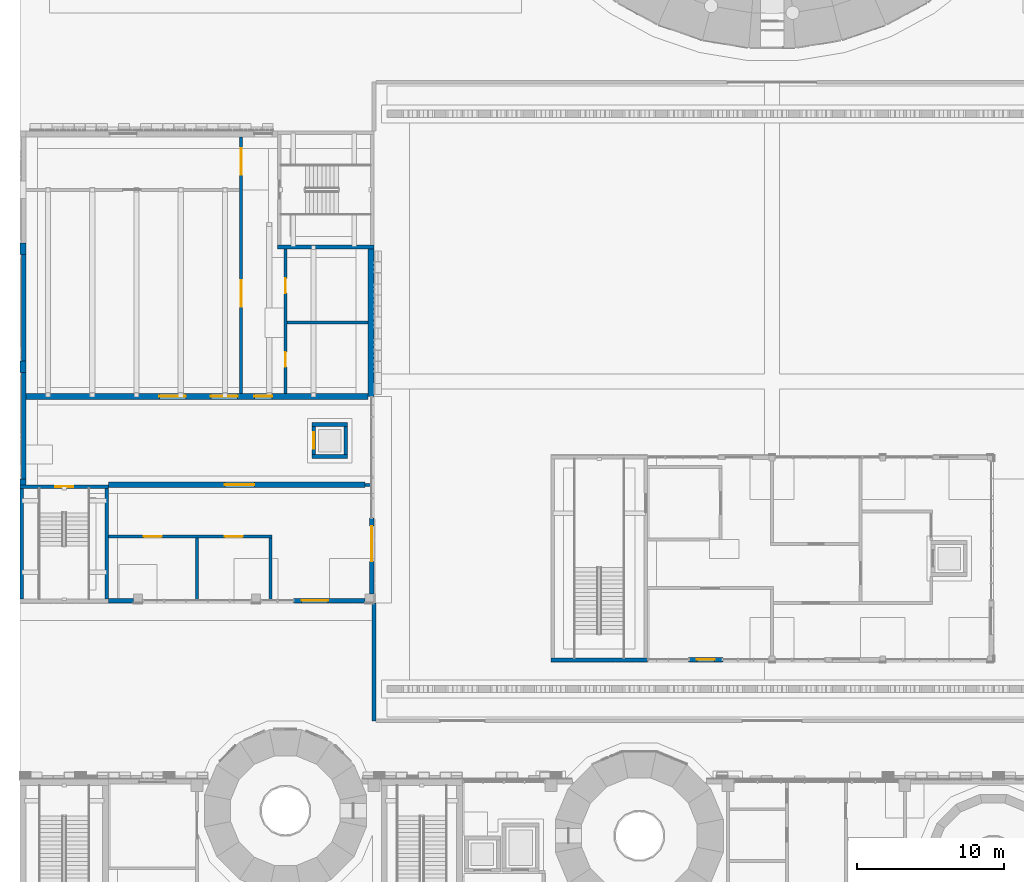
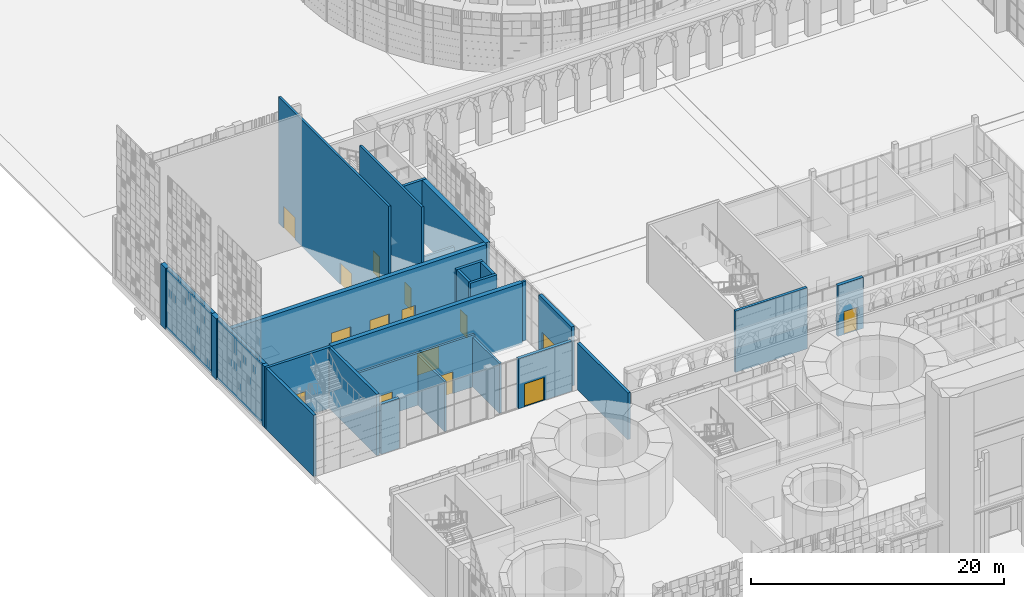
# One storey, part 51 of 125: 29 walls, 15 doors, 15 openings.
"""IFC4 building model written with IfcOpenShell, lengths in metres."""

from ifc_helpers import new_model, si_unit, direction, frame, frame_2d, origin, place, context, subcontext, project, spatial, rectangle, extrude, material, layer, layer_set, type_object, element, fill, save


model = new_model("IFC4")

# Units and contexts
model_context = context("Model", 3, precision=1e-05, world=origin(), true_north=direction((0.0, 1.0)))
body_context = subcontext(model_context, "Body", "Model", "MODEL_VIEW")
ifc_project = project(units=[si_unit("LENGTHUNIT", "METRE"), si_unit("AREAUNIT", "SQUARE_METRE"), si_unit("VOLUMEUNIT", "CUBIC_METRE"), si_unit("PLANEANGLEUNIT", "RADIAN"), si_unit("MASSUNIT", "GRAM", prefix="KILO")], contexts=[model_context])

# Site, building, storey
site_placement = place(None, origin())
site = spatial("IfcSite", under=ifc_project, at=site_placement, CompositionType="ELEMENT")
building_placement = place(site_placement, origin())
building = spatial("IfcBuilding", under=site, at=building_placement, Name="Sun Court Science Centre", CompositionType="ELEMENT")
storey_placement = place(building_placement, origin())
storey = spatial("IfcBuildingStorey", under=building, at=storey_placement, Name="L00", CompositionType="ELEMENT", Elevation=0.0)

# Wall, opening, door
ifc_material_1 = material(Name="Clay masonry", Category="masonry")
ifc_layer_1 = layer(ifc_material_1, 0.300048828125)
ifc_layer_set_1 = layer_set([ifc_layer_1], Name="Clay masonry")
wall_type_1 = type_object("IfcWallType", Name="Clay masonry infill wall 300", PredefinedType="SOLIDWALL", material=ifc_layer_set_1)
wall_1_placement = place(storey_placement, frame((23.85009765625, 45.760009765625, 0.0), z_axis=(0.0, 0.0, 1.0), x_axis=(0.0, -1.0, 0.0)))
wall_1 = element("IfcWall", 1, at=wall_1_placement, inside=storey, type_object=wall_type_1, Name="External infill wall L00 east face 01", PredefinedType="SOLIDWALL", context=body_context, shape_type="SweptSolid", body=[
    extrude(rectangle(XDim=5.159912109375, YDim=0.300048828125, at=frame_2d((2.580078125, 0.0))), origin(), (0.0, 0.0, 1.0), 5.699951171875),
])
opening_1_placement = place(wall_1_placement, frame((0.56005859375, 0.0, 0.0)))
opening_1 = element("IfcOpeningElement", 2, at=opening_1_placement, cuts=wall_1, Name="Opening D-L00-081", PredefinedType="OPENING", context=body_context, shape_type="SweptSolid", body=[
    extrude(rectangle(XDim=2.39990234375, YDim=2.39990234375, at=frame_2d((1.199951171875, 1.199951171875))), frame((0.0, 0.159912109375, 0.0), z_axis=(0.0, -1.0, 0.0), x_axis=(1.0, 0.0, 0.0)), (0.0, 0.0, 1.0), 0.320068359375),
])
ifc_material_2 = material(Name="Aluminium and toughened glass", Category="aluminium")
door_type_1 = type_object("IfcDoorType", Name="Exterior door 2400 x 2400 double entrance", OperationType="DOUBLE_DOOR_SINGLE_SWING", PredefinedType="DOOR", material=ifc_material_2)
door_1_placement = place(opening_1_placement, origin())
door_1 = element("IfcDoor", 3, at=door_1_placement, inside=storey, type_object=door_type_1, Name="Exterior door D-L00-081 to the sun court", OperationType="SINGLE_SWING_LEFT", OverallHeight=2.39990234375, OverallWidth=2.39990234375, PredefinedType="DOOR", context=body_context, shape_type="SweptSolid", body=[
    extrude(rectangle(XDim=2.39990234375, YDim=2.39990234375, at=frame_2d((1.199951171875, 1.199951171875))), frame((0.0, 0.02490234375, 0.0), z_axis=(0.0, -1.0, 0.0), x_axis=(1.0, 0.0, 0.0)), (0.0, 0.0, 1.0), 0.050048828125),
])
fill(opening_1, door_1)

wall_2_placement = place(storey_placement, frame((23.39990234375, 40.14990234375, 0.0), z_axis=(0.0, 0.0, 1.0), x_axis=(-1.0, 0.0, 0.0)))
wall_2 = element("IfcWall", 4, at=wall_2_placement, inside=storey, type_object=wall_type_1, Name="External infill wall L00 south face 01", PredefinedType="SOLIDWALL", context=body_context, shape_type="SweptSolid", body=[
    extrude(rectangle(XDim=4.85986328125, YDim=0.300048828125, at=frame_2d((2.429931640625, 0.0))), origin(), (0.0, 0.0, 1.0), 4.800048828125),
])
opening_2_placement = place(wall_2_placement, frame((2.5, 0.0, 0.0)))
opening_2 = element("IfcOpeningElement", 5, at=opening_2_placement, cuts=wall_2, Name="Opening D-L00-082", PredefinedType="OPENING", context=body_context, shape_type="SweptSolid", body=[
    extrude(rectangle(XDim=1.800048828125, YDim=2.199951171875, at=frame_2d((0.89990234375, 1.10009765625))), frame((0.0, 0.159912109375, 0.0), z_axis=(0.0, -1.0, 0.0), x_axis=(1.0, 0.0, 0.0)), (0.0, 0.0, 1.0), 0.320068359375),
])
ifc_material_3 = material(Name="Steel and glass", Category="steel")
door_type_2 = type_object("IfcDoorType", Name="Exterior door 1800 x 2200 double", OperationType="DOUBLE_DOOR_SINGLE_SWING", PredefinedType="DOOR", material=ifc_material_3)
door_2_placement = place(opening_2_placement, origin())
door_2 = element("IfcDoor", 6, at=door_2_placement, inside=storey, type_object=door_type_2, Name="Exterior door D-L00-082 to the side path", OperationType="SINGLE_SWING_LEFT", OverallHeight=2.199951171875, OverallWidth=1.800048828125, PredefinedType="DOOR", context=body_context, shape_type="SweptSolid", body=[
    extrude(rectangle(XDim=1.800048828125, YDim=2.199951171875, at=frame_2d((0.89990234375, 1.10009765625))), frame((0.0, 0.02490234375, 0.0), z_axis=(0.0, -1.0, 0.0), x_axis=(1.0, 0.0, 0.0)), (0.0, 0.0, 1.0), 0.050048828125),
])
fill(opening_2, door_2)

# Wall
wall_3_placement = place(storey_placement, frame((7.699951171875, 40.14990234375, 0.0), z_axis=(0.0, 0.0, 1.0), x_axis=(-1.0, 0.0, 0.0)))
element("IfcWall", 7, at=wall_3_placement, inside=storey, type_object=wall_type_1, Name="External infill wall L00 south face 02", PredefinedType="SOLIDWALL", context=body_context, shape_type="SweptSolid", body=[
    extrude(rectangle(XDim=1.699951171875, YDim=0.300048828125, at=frame_2d((0.85009765625, 0.0))), origin(), (0.0, 0.0, 1.0), 4.800048828125),
])

# Wall, opening, door
wall_4_placement = place(storey_placement, frame((47.659912109375, 36.14990234375, 0.0), z_axis=(0.0, 0.0, 1.0), x_axis=(-1.0, 0.0, 0.0)))
wall_4 = element("IfcWall", 8, at=wall_4_placement, inside=storey, type_object=wall_type_1, Name="External infill wall L00 south face 02", PredefinedType="SOLIDWALL", context=body_context, shape_type="SweptSolid", body=[
    extrude(rectangle(XDim=2.31982421875, YDim=0.300048828125, at=frame_2d((1.159912109375, 0.0))), origin(), (0.0, 0.0, 1.0), 4.89990234375),
])
opening_3_placement = place(wall_4_placement, frame((0.56005859375, 0.0, 0.0)))
opening_3 = element("IfcOpeningElement", 9, at=opening_3_placement, cuts=wall_4, Name="Opening D-L00-111", PredefinedType="OPENING", context=body_context, shape_type="SweptSolid", body=[
    extrude(rectangle(XDim=1.199951171875, YDim=2.199951171875, at=frame_2d((0.60009765625, 1.10009765625))), frame((0.0, 0.159912109375, 0.0), z_axis=(0.0, -1.0, 0.0), x_axis=(1.0, 0.0, 0.0)), (0.0, 0.0, 1.0), 0.320068359375),
])
ifc_material_4 = material(Name="Steel and glass", Category="steel")
door_type_3 = type_object("IfcDoorType", Name="Exterior door 1200 x 2200 single", OperationType="SINGLE_SWING_LEFT", PredefinedType="DOOR", material=ifc_material_4)
door_3_placement = place(opening_3_placement, origin())
door_3 = element("IfcDoor", 10, at=door_3_placement, inside=storey, type_object=door_type_3, Name="Exterior door D-L00-111 to the sun court", OperationType="SINGLE_SWING_RIGHT", OverallHeight=2.199951171875, OverallWidth=1.199951171875, PredefinedType="DOOR", context=body_context, shape_type="SweptSolid", body=[
    extrude(rectangle(XDim=1.199951171875, YDim=2.199951171875, at=frame_2d((0.60009765625, 1.10009765625))), frame((0.0, 0.02490234375, 0.0), z_axis=(0.0, -1.0, 0.0), x_axis=(1.0, 0.0, 0.0)), (0.0, 0.0, 1.0), 0.050048828125),
])
fill(opening_3, door_3)

# Wall, openings, doors
ifc_material_5 = material(Name="Gypsum board")
ifc_layer_2 = layer(ifc_material_5, 0.199951171875)
ifc_layer_set_2 = layer_set([ifc_layer_2], Name="Gypsum board")
wall_type_2 = type_object("IfcWallType", Name="Partition 200 acoustic double stud", PredefinedType="PARTITIONING", material=ifc_layer_set_2)
wall_5_placement = place(storey_placement, frame((17.10009765625, 44.5, 0.0), z_axis=(0.0, 0.0, 1.0), x_axis=(-1.0, 0.0, 0.0)))
wall_5 = element("IfcWall", 11, at=wall_5_placement, inside=storey, type_object=wall_type_2, Name="L00 partition 001", PredefinedType="PARTITIONING", context=body_context, shape_type="SweptSolid", body=[
    extrude(rectangle(XDim=11.09814453125, YDim=0.199951171875, at=frame_2d((5.549072265625, 0.0))), origin(), (0.0, 0.0, 1.0), 5.0),
])
opening_4_placement = place(wall_5_placement, frame((7.5, 0.0, 0.0)))
opening_4 = element("IfcOpeningElement", 12, at=opening_4_placement, cuts=wall_5, Name="Opening D-L00-070", PredefinedType="OPENING", context=body_context, shape_type="SweptSolid", body=[
    extrude(rectangle(XDim=1.199951171875, YDim=2.10009765625, at=frame_2d((0.60009765625, 1.050048828125))), frame((0.0, 0.10986328125, 0.0), z_axis=(0.0, -1.0, 0.0), x_axis=(1.0, 0.0, 0.0)), (0.0, 0.0, 1.0), 0.219970703125),
])
opening_5_placement = place(wall_5_placement, frame((2.0, 0.0, 0.0)))
opening_5 = element("IfcOpeningElement", 13, at=opening_5_placement, cuts=wall_5, Name="Opening D-L00-071", PredefinedType="OPENING", context=body_context, shape_type="SweptSolid", body=[
    extrude(rectangle(XDim=1.199951171875, YDim=2.10009765625, at=frame_2d((0.60009765625, 1.050048828125))), frame((0.0, 0.10986328125, 0.0), z_axis=(0.0, -1.0, 0.0), x_axis=(1.0, 0.0, 0.0)), (0.0, 0.0, 1.0), 0.219970703125),
])
ifc_material_6 = material(Name="Timber", Category="wood")
door_type_4 = type_object("IfcDoorType", Name="Door 1200x2100 single leaf", OperationType="NOTDEFINED", PredefinedType="DOOR", material=ifc_material_6)
door_4_placement = place(opening_4_placement, origin())
door_4 = element("IfcDoor", 14, at=door_4_placement, inside=storey, type_object=door_type_4, Name="Door D-L00-070", OperationType="SINGLE_SWING_LEFT", OverallHeight=2.10009765625, OverallWidth=1.199951171875, PredefinedType="DOOR", context=body_context, shape_type="SweptSolid", body=[
    extrude(rectangle(XDim=1.199951171875, YDim=2.10009765625, at=frame_2d((0.60009765625, 1.050048828125))), frame((0.0, 0.02490234375, 0.0), z_axis=(0.0, -1.0, 0.0), x_axis=(1.0, 0.0, 0.0)), (0.0, 0.0, 1.0), 0.050048828125),
])
fill(opening_4, door_4)
door_5_placement = place(opening_5_placement, origin())
door_5 = element("IfcDoor", 15, at=door_5_placement, inside=storey, type_object=door_type_4, Name="Door D-L00-071", OperationType="SINGLE_SWING_RIGHT", OverallHeight=2.10009765625, OverallWidth=1.199951171875, PredefinedType="DOOR", context=body_context, shape_type="SweptSolid", body=[
    extrude(rectangle(XDim=1.199951171875, YDim=2.10009765625, at=frame_2d((0.60009765625, 1.050048828125))), frame((0.0, 0.02490234375, 0.0), z_axis=(0.0, -1.0, 0.0), x_axis=(1.0, 0.0, 0.0)), (0.0, 0.0, 1.0), 0.050048828125),
])
fill(opening_5, door_5)

# Walls
wall_6_placement = place(storey_placement, frame((18.10009765625, 59.0, 0.0), z_axis=(0.0, 0.0, 1.0), x_axis=(1.0, 0.0, 0.0)))
element("IfcWall", 16, at=wall_6_placement, inside=storey, type_object=wall_type_2, Name="L00 partition 003", PredefinedType="PARTITIONING", context=body_context, shape_type="SweptSolid", body=[
    extrude(rectangle(XDim=5.497802734375, YDim=0.199951171875, at=frame_2d((2.7490234375, 0.0))), origin(), (0.0, 0.0, 1.0), 2.3740234375),
])
for number, where, z_axis, x_axis, name in (
    (17, (17.0, 40.199951171875, 0.0), (0.0, 0.0, 1.0), (0.0, 1.0, 0.0), "L00 partition 006"),
    (18, (12.0, 40.199951171875, 0.0), (0.0, 0.0, 1.0), (0.0, 1.0, 0.0), "L00 partition 008"),
):
    element("IfcWall", number, at=place(storey_placement, frame(where, z_axis=z_axis, x_axis=x_axis)), inside=storey, type_object=wall_type_2, Name=name, PredefinedType="PARTITIONING", context=body_context, shape_type="SweptSolid", body=[
        extrude(rectangle(XDim=4.199951171875, YDim=0.199951171875, at=frame_2d((2.10009765625, 0.0))), origin(), (0.0, 0.0, 1.0), 4.800048828125),
    ])
ifc_material_7 = material(Name="Concrete block", Category="concrete")
ifc_layer_3 = layer(ifc_material_7, 0.199951171875)
ifc_layer_set_3 = layer_set([ifc_layer_3], Name="Concrete block")
wall_type_3 = type_object("IfcWallType", Name="Partition 200 block EI60", PredefinedType="PARTITIONING", material=ifc_layer_set_3)
wall_7_placement = place(storey_placement, frame((23.402099609375, 48.0, 0.0), z_axis=(0.0, 0.0, 1.0), x_axis=(1.0, 0.0, 0.0)))
element("IfcWall", 19, at=wall_7_placement, inside=storey, type_object=wall_type_3, Name="L00 partition 002", PredefinedType="PARTITIONING", context=body_context, shape_type="SweptSolid", body=[
    extrude(rectangle(XDim=0.39794921875, YDim=0.199951171875, at=frame_2d((0.198974609375, 0.0))), origin(), (0.0, 0.0, 1.0), 5.699951171875),
])

# Wall, openings, doors
wall_8_placement = place(storey_placement, frame((18.0, 63.998046875, 0.0), z_axis=(0.0, 0.0, 1.0), x_axis=(0.0, -1.0, 0.0)))
wall_8 = element("IfcWall", 20, at=wall_8_placement, inside=storey, type_object=wall_type_3, Name="L00 partition 005", PredefinedType="PARTITIONING", context=body_context, shape_type="SweptSolid", body=[
    extrude(rectangle(XDim=9.796142578125, YDim=0.199951171875, at=frame_2d((4.89794921875, 0.0))), origin(), (0.0, 0.0, 1.0), 11.050048828125),
])
opening_6_placement = place(wall_8_placement, frame((6.998046875, 0.0, 0.0)))
opening_6 = element("IfcOpeningElement", 21, at=opening_6_placement, cuts=wall_8, Name="Opening D-L00-078", PredefinedType="OPENING", context=body_context, shape_type="SweptSolid", body=[
    extrude(rectangle(XDim=1.0, YDim=2.10009765625, at=frame_2d((0.5, 1.050048828125))), frame((0.0, 0.10986328125, 0.0), z_axis=(0.0, -1.0, 0.0), x_axis=(1.0, 0.0, 0.0)), (0.0, 0.0, 1.0), 0.219970703125),
])
opening_7_placement = place(wall_8_placement, frame((1.998046875, 0.0, 0.0)))
opening_7 = element("IfcOpeningElement", 22, at=opening_7_placement, cuts=wall_8, Name="Opening D-L00-079", PredefinedType="OPENING", context=body_context, shape_type="SweptSolid", body=[
    extrude(rectangle(XDim=1.0, YDim=2.10009765625, at=frame_2d((0.5, 1.050048828125))), frame((0.0, 0.10986328125, 0.0), z_axis=(0.0, -1.0, 0.0), x_axis=(1.0, 0.0, 0.0)), (0.0, 0.0, 1.0), 0.219970703125),
])
ifc_material_8 = material(Name="Timber", Category="wood")
door_type_5 = type_object("IfcDoorType", Name="Door 1000x2100 single leaf", OperationType="NOTDEFINED", PredefinedType="DOOR", material=ifc_material_8)
door_6_placement = place(opening_7_placement, origin())
door_6 = element("IfcDoor", 23, at=door_6_placement, inside=storey, type_object=door_type_5, Name="Door D-L00-079", OperationType="SINGLE_SWING_RIGHT", OverallHeight=2.10009765625, OverallWidth=1.0, PredefinedType="DOOR", context=body_context, shape_type="SweptSolid", body=[
    extrude(rectangle(XDim=1.0, YDim=2.10009765625, at=frame_2d((0.5, 1.050048828125))), frame((0.0, 0.02490234375, 0.0), z_axis=(0.0, -1.0, 0.0), x_axis=(1.0, 0.0, 0.0)), (0.0, 0.0, 1.0), 0.050048828125),
])
fill(opening_7, door_6)
ifc_material_9 = material(Name="Steel", Category="steel")
door_type_6 = type_object("IfcDoorType", Name="Door 1000x2100 single leaf FD60", OperationType="NOTDEFINED", PredefinedType="DOOR", material=ifc_material_9)
door_7_placement = place(opening_6_placement, origin())
door_7 = element("IfcDoor", 24, at=door_7_placement, inside=storey, type_object=door_type_6, Name="Door D-L00-078", OperationType="SINGLE_SWING_LEFT", OverallHeight=2.10009765625, OverallWidth=1.0, PredefinedType="DOOR", context=body_context, shape_type="SweptSolid", body=[
    extrude(rectangle(XDim=1.0, YDim=2.10009765625, at=frame_2d((0.5, 1.050048828125))), frame((0.0, 0.02490234375, 0.0), z_axis=(0.0, -1.0, 0.0), x_axis=(1.0, 0.0, 0.0)), (0.0, 0.0, 1.0), 0.050048828125),
])
fill(opening_6, door_7)

ifc_material_10 = material(Name="Concrete block", Category="concrete")
ifc_layer_4 = layer(ifc_material_10, 0.199951171875)
ifc_layer_set_4 = layer_set([ifc_layer_4], Name="Concrete block")
wall_type_4 = type_object("IfcWallType", Name="Partition 200 projection room block EI180", PredefinedType="PARTITIONING", material=ifc_layer_set_4)
wall_9_placement = place(storey_placement, frame((15.0, 71.597900390625, 0.0), z_axis=(0.0, 0.0, 1.0), x_axis=(0.0, -1.0, 0.0)))
wall_9 = element("IfcWall", 25, at=wall_9_placement, inside=storey, type_object=wall_type_4, Name="L00 partition 007", PredefinedType="PARTITIONING", context=body_context, shape_type="SweptSolid", body=[
    extrude(rectangle(XDim=17.39599609375, YDim=0.199951171875, at=frame_2d((8.697998046875, 0.0))), origin(), (0.0, 0.0, 1.0), 12.175048828125),
])
opening_8_placement = place(wall_9_placement, frame((9.722900390625, 0.0, 0.0)))
opening_8 = element("IfcOpeningElement", 26, at=opening_8_placement, cuts=wall_9, Name="Opening D-L00-076", PredefinedType="OPENING", context=body_context, shape_type="SweptSolid", body=[
    extrude(rectangle(XDim=1.800048828125, YDim=2.10009765625, at=frame_2d((0.89990234375, 1.050048828125))), frame((0.0, 0.10986328125, 0.0), z_axis=(0.0, -1.0, 0.0), x_axis=(1.0, 0.0, 0.0)), (0.0, 0.0, 1.0), 0.219970703125),
])
opening_9_placement = place(wall_9_placement, frame((0.77197265625, 0.0, 0.0)))
opening_9 = element("IfcOpeningElement", 27, at=opening_9_placement, cuts=wall_9, Name="Opening D-L00-077", PredefinedType="OPENING", context=body_context, shape_type="SweptSolid", body=[
    extrude(rectangle(XDim=1.800048828125, YDim=2.10009765625, at=frame_2d((0.89990234375, 1.050048828125))), frame((0.0, 0.10986328125, 0.0), z_axis=(0.0, -1.0, 0.0), x_axis=(1.0, 0.0, 0.0)), (0.0, 0.0, 1.0), 0.219970703125),
])
ifc_material_11 = material(Name="Timber", Category="wood")
door_type_7 = type_object("IfcDoorType", Name="Door 1800x2100 double leaf", OperationType="DOUBLE_DOOR_SINGLE_SWING", PredefinedType="DOOR", material=ifc_material_11)
door_8_placement = place(opening_8_placement, origin())
door_8 = element("IfcDoor", 28, at=door_8_placement, inside=storey, type_object=door_type_7, Name="Door D-L00-076", OperationType="DOUBLE_DOOR_SINGLE_SWING", OverallHeight=2.10009765625, OverallWidth=1.800048828125, PredefinedType="DOOR", context=body_context, shape_type="SweptSolid", body=[
    extrude(rectangle(XDim=1.800048828125, YDim=2.10009765625, at=frame_2d((0.89990234375, 1.050048828125))), frame((0.0, 0.02490234375, 0.0), z_axis=(0.0, -1.0, 0.0), x_axis=(1.0, 0.0, 0.0)), (0.0, 0.0, 1.0), 0.050048828125),
])
fill(opening_8, door_8)
door_9_placement = place(opening_9_placement, origin())
door_9 = element("IfcDoor", 29, at=door_9_placement, inside=storey, type_object=door_type_7, Name="Door D-L00-077", OperationType="DOUBLE_DOOR_SINGLE_SWING", OverallHeight=2.10009765625, OverallWidth=1.800048828125, PredefinedType="DOOR", context=body_context, shape_type="SweptSolid", body=[
    extrude(rectangle(XDim=1.800048828125, YDim=2.10009765625, at=frame_2d((0.89990234375, 1.050048828125))), frame((0.0, 0.02490234375, 0.0), z_axis=(0.0, -1.0, 0.0), x_axis=(1.0, 0.0, 0.0)), (0.0, 0.0, 1.0), 0.050048828125),
])
fill(opening_9, door_9)

# Walls
ifc_material_12 = material(Name="Concrete C30/37", Category="concrete")
ifc_layer_5 = layer(ifc_material_12, 0.300048828125)
ifc_layer_set_5 = layer_set([ifc_layer_5], Name="Concrete C30/37")
wall_type_5 = type_object("IfcWallType", Name="RC party wall panel exterior 300", PredefinedType="SOLIDWALL", material=ifc_layer_set_5)
for number, where, z_axis, x_axis, name in (
    (30, (0.25, 48.39990234375, -0.199951171875), (0.0, 0.0, 1.0), (0.0, 1.0, 0.0), "West party wall panel L00"),
    (31, (0.25, 56.39990234375, -0.199951171875), (0.0, 0.0, 1.0), (0.0, 1.0, 0.0), "West party wall panel L00"),
):
    element("IfcWall", number, at=place(storey_placement, frame(where, z_axis=z_axis, x_axis=x_axis)), inside=storey, type_object=wall_type_5, Name=name, PredefinedType="SOLIDWALL", context=body_context, shape_type="SweptSolid", body=[
        extrude(rectangle(XDim=7.2001953125, YDim=0.300048828125, at=frame_2d((3.60009765625, 0.0))), origin(), (0.0, 0.0, 1.0), 5.89990234375),
    ])
ifc_material_13 = material(Name="Concrete C30/37", Category="concrete")
ifc_layer_6 = layer(ifc_material_13, 0.25)
ifc_layer_set_6 = layer_set([ifc_layer_6], Name="Concrete C30/37")
wall_type_6 = type_object("IfcWallType", Name="RC shaft wall 250", PredefinedType="SHEAR", material=ifc_layer_set_6)
wall_10_placement = place(storey_placement, frame((19.78759765625, 49.91259765625, -1.39990234375), z_axis=(0.0, 0.0, 1.0), x_axis=(1.0, 0.0, 0.0)))
element("IfcWall", 32, at=wall_10_placement, inside=storey, type_object=wall_type_6, Name="Lift core LT1 wall S, L00", PredefinedType="SHEAR", context=body_context, shape_type="SweptSolid", body=[
    extrude(rectangle(XDim=2.4248046875, YDim=0.25, at=frame_2d((1.21240234375, 0.0))), origin(), (0.0, 0.0, 1.0), 7.099853515625),
])
wall_11_placement = place(storey_placement, frame((22.08740234375, 50.03759765625, -1.39990234375), z_axis=(0.0, 0.0, 1.0), x_axis=(0.0, 1.0, 0.0)))
element("IfcWall", 33, at=wall_11_placement, inside=storey, type_object=wall_type_6, Name="Lift core LT1 wall E, L00", PredefinedType="SHEAR", context=body_context, shape_type="SweptSolid", body=[
    extrude(rectangle(XDim=1.9248046875, YDim=0.25, at=frame_2d((0.96240234375, 0.0))), origin(), (0.0, 0.0, 1.0), 7.099853515625),
])
wall_12_placement = place(storey_placement, frame((19.78759765625, 52.08740234375, -1.39990234375), z_axis=(0.0, 0.0, 1.0), x_axis=(1.0, 0.0, 0.0)))
element("IfcWall", 34, at=wall_12_placement, inside=storey, type_object=wall_type_6, Name="Lift core LT1 wall N, L00", PredefinedType="SHEAR", context=body_context, shape_type="SweptSolid", body=[
    extrude(rectangle(XDim=2.4248046875, YDim=0.25, at=frame_2d((1.21240234375, 0.0))), origin(), (0.0, 0.0, 1.0), 7.099853515625),
])

# Wall, opening, door
wall_13_placement = place(storey_placement, frame((19.91259765625, 50.03759765625, -1.39990234375), z_axis=(0.0, 0.0, 1.0), x_axis=(0.0, 1.0, 0.0)))
wall_13 = element("IfcWall", 35, at=wall_13_placement, inside=storey, type_object=wall_type_6, Name="Lift core LT1 wall W, L00", PredefinedType="SHEAR", context=body_context, shape_type="SweptSolid", body=[
    extrude(rectangle(XDim=1.9248046875, YDim=0.25, at=frame_2d((0.96240234375, 0.0))), origin(), (0.0, 0.0, 1.0), 7.099853515625),
])
opening_10_placement = place(wall_13_placement, frame((0.41259765625, 0.0, 1.39990234375)))
opening_10 = element("IfcOpeningElement", 36, at=opening_10_placement, cuts=wall_13, Name="Opening D-L00-069", PredefinedType="OPENING", context=body_context, shape_type="SweptSolid", body=[
    extrude(rectangle(XDim=1.10009765625, YDim=2.10009765625, at=frame_2d((0.550048828125, 1.050048828125))), frame((0.0, 0.135009765625, 0.0), z_axis=(0.0, -1.0, 0.0), x_axis=(1.0, 0.0, 0.0)), (0.0, 0.0, 1.0), 0.27001953125),
])
ifc_material_14 = material(Name="Steel", Category="steel")
door_type_8 = type_object("IfcDoorType", Name="Lift landing door 1100x2100 sliding", OperationType="DOUBLE_DOOR_SLIDING", PredefinedType="DOOR", material=ifc_material_14)
door_10_placement = place(opening_10_placement, origin())
door_10 = element("IfcDoor", 37, at=door_10_placement, inside=storey, type_object=door_type_8, Name="Lift landing door D-L00-069", OperationType="DOUBLE_DOOR_SLIDING", OverallHeight=2.10009765625, OverallWidth=1.10009765625, PredefinedType="DOOR", context=body_context, shape_type="SweptSolid", body=[
    extrude(rectangle(XDim=1.10009765625, YDim=2.10009765625, at=frame_2d((0.550048828125, 1.050048828125))), frame((0.0, 0.02490234375, 0.0), z_axis=(0.0, -1.0, 0.0), x_axis=(1.0, 0.0, 0.0)), (0.0, 0.0, 1.0), 0.050048828125),
])
fill(opening_10, door_10)

# Wall
ifc_material_15 = material(Name="Concrete C30/37", Category="concrete")
ifc_layer_7 = layer(ifc_material_15, 0.25)
ifc_layer_set_7 = layer_set([ifc_layer_7], Name="Concrete C30/37")
wall_type_7 = type_object("IfcWallType", Name="RC stair core wall 250", PredefinedType="SHEAR", material=ifc_layer_set_7)
wall_14_placement = place(storey_placement, frame((5.875, 40.25, -0.199951171875), z_axis=(0.0, 0.0, 1.0), x_axis=(0.0, 1.0, 0.0)))
element("IfcWall", 38, at=wall_14_placement, inside=storey, type_object=wall_type_7, Name="Stair core ST1 wall E, L00", PredefinedType="SHEAR", context=body_context, shape_type="SweptSolid", body=[
    extrude(rectangle(XDim=7.5, YDim=0.25, at=frame_2d((3.75, 0.0))), origin(), (0.0, 0.0, 1.0), 5.89990234375),
])

# Wall, opening, door
wall_15_placement = place(storey_placement, frame((0.0, 47.875, -0.199951171875), z_axis=(0.0, 0.0, 1.0), x_axis=(1.0, 0.0, 0.0)))
wall_15 = element("IfcWall", 39, at=wall_15_placement, inside=storey, type_object=wall_type_7, Name="Stair core ST1 wall N, L00", PredefinedType="SHEAR", context=body_context, shape_type="SweptSolid", body=[
    extrude(rectangle(XDim=6.0, YDim=0.25, at=frame_2d((3.0, 0.0))), origin(), (0.0, 0.0, 1.0), 5.89990234375),
])
opening_11_placement = place(wall_15_placement, frame((2.39892578125, 0.0, 0.199951171875)))
opening_11 = element("IfcOpeningElement", 40, at=opening_11_placement, cuts=wall_15, Name="Opening D-L00-067", PredefinedType="OPENING", context=body_context, shape_type="SweptSolid", body=[
    extrude(rectangle(XDim=1.199951171875, YDim=2.199951171875, at=frame_2d((0.60009765625, 1.10009765625))), frame((0.0, 0.135009765625, 0.0), z_axis=(0.0, -1.0, 0.0), x_axis=(1.0, 0.0, 0.0)), (0.0, 0.0, 1.0), 0.27001953125),
])
ifc_material_16 = material(Name="Steel", Category="steel")
door_type_9 = type_object("IfcDoorType", Name="Door 1200x2200 single leaf FD60", OperationType="NOTDEFINED", PredefinedType="DOOR", material=ifc_material_16)
door_11_placement = place(opening_11_placement, origin())
door_11 = element("IfcDoor", 41, at=door_11_placement, inside=storey, type_object=door_type_9, Name="Door D-L00-067", OperationType="SINGLE_SWING_LEFT", OverallHeight=2.199951171875, OverallWidth=1.199951171875, PredefinedType="DOOR", context=body_context, shape_type="SweptSolid", body=[
    extrude(rectangle(XDim=1.199951171875, YDim=2.199951171875, at=frame_2d((0.60009765625, 1.10009765625))), frame((0.0, 0.02490234375, 0.0), z_axis=(0.0, -1.0, 0.0), x_axis=(1.0, 0.0, 0.0)), (0.0, 0.0, 1.0), 0.050048828125),
])
fill(opening_11, door_11)

# Walls
wall_16_placement = place(storey_placement, frame((0.125, 40.25, -0.199951171875), z_axis=(0.0, 0.0, 1.0), x_axis=(0.0, 1.0, 0.0)))
element("IfcWall", 42, at=wall_16_placement, inside=storey, type_object=wall_type_7, Name="Stair core ST1 wall W, L00", PredefinedType="SHEAR", context=body_context, shape_type="SweptSolid", body=[
    extrude(rectangle(XDim=7.5, YDim=0.25, at=frame_2d((3.75, 0.0))), origin(), (0.0, 0.0, 1.0), 5.89990234375),
])
for number, where, z_axis, x_axis, name in (
    (43, (17.449951171875, 64.125, -0.199951171875), (0.0, 0.0, 1.0), (1.0, 0.0, 0.0), "Stair core ST2 wall S, L00"),
    (44, (36.0, 36.125, -0.199951171875), (0.0, 0.0, 1.0), (1.0, 0.0, 0.0), "Stair core SP1 wall S, L00"),
):
    element("IfcWall", number, at=place(storey_placement, frame(where, z_axis=z_axis, x_axis=x_axis)), inside=storey, type_object=wall_type_7, Name=name, PredefinedType="SHEAR", context=body_context, shape_type="SweptSolid", body=[
        extrude(rectangle(XDim=6.550048828125, YDim=0.25, at=frame_2d((3.27490234375, 0.0))), origin(), (0.0, 0.0, 1.0), 5.89990234375),
    ])
ifc_material_17 = material(Name="Concrete C30/37", Category="concrete")
ifc_layer_8 = layer(ifc_material_17, 0.39990234375)
ifc_layer_set_8 = layer_set([ifc_layer_8], Name="Concrete C30/37")
wall_type_8 = type_object("IfcWallType", Name="RC theatre wall exterior 400", PredefinedType="SOLIDWALL", material=ifc_layer_set_8)
wall_17_placement = place(storey_placement, frame((0.199951171875, 48.0, -0.199951171875), z_axis=(0.0, 0.0, 1.0), x_axis=(0.0, 1.0, 0.0)))
element("IfcWall", 45, at=wall_17_placement, inside=storey, type_object=wall_type_8, Name="West party wall L00", PredefinedType="SOLIDWALL", context=body_context, shape_type="SweptSolid", body=[
    extrude(rectangle(XDim=0.39990234375, YDim=0.39990234375, at=frame_2d((0.199951171875, 0.0))), origin(), (0.0, 0.0, 1.0), 5.89990234375),
])
for number, where, z_axis, x_axis, name in (
    (46, (0.199951171875, 55.60009765625, -0.199951171875), (0.0, 0.0, 1.0), (0.0, 1.0, 0.0), "West party wall L00"),
    (47, (0.199951171875, 63.60009765625, -0.199951171875), (0.0, 0.0, 1.0), (0.0, 1.0, 0.0), "West party wall L00"),
):
    element("IfcWall", number, at=place(storey_placement, frame(where, z_axis=z_axis, x_axis=x_axis)), inside=storey, type_object=wall_type_8, Name=name, PredefinedType="SOLIDWALL", context=body_context, shape_type="SweptSolid", body=[
        extrude(rectangle(XDim=0.7998046875, YDim=0.39990234375, at=frame_2d((0.39990234375, 0.0))), origin(), (0.0, 0.0, 1.0), 5.89990234375),
    ])
wall_18_placement = place(storey_placement, frame((23.800048828125, 54.0, -0.199951171875), z_axis=(0.0, 0.0, 1.0), x_axis=(0.0, 1.0, 0.0)))
element("IfcWall", 48, at=wall_18_placement, inside=storey, type_object=wall_type_8, Name="East acoustic wall L00", PredefinedType="SOLIDWALL", context=body_context, shape_type="SweptSolid", body=[
    extrude(rectangle(XDim=10.0, YDim=0.39990234375, at=frame_2d((5.0, 0.0))), origin(), (0.0, 0.0, 1.0), 5.89990234375),
])

# Wall, opening, door
wall_19_placement = place(storey_placement, frame((6.0, 48.0, -0.199951171875), z_axis=(0.0, 0.0, 1.0), x_axis=(1.0, 0.0, 0.0)))
wall_19 = element("IfcWall", 49, at=wall_19_placement, inside=storey, type_object=wall_type_8, Name="Foyer back wall L00", PredefinedType="SOLIDWALL", context=body_context, shape_type="SweptSolid", body=[
    extrude(rectangle(XDim=17.39990234375, YDim=0.39990234375, at=frame_2d((8.699951171875, 0.0))), origin(), (0.0, 0.0, 1.0), 5.89990234375),
])
opening_12_placement = place(wall_19_placement, frame((7.89990234375, 0.0, 0.199951171875)))
opening_12 = element("IfcOpeningElement", 50, at=opening_12_placement, cuts=wall_19, Name="Opening D-L00-072", PredefinedType="OPENING", context=body_context, shape_type="SweptSolid", body=[
    extrude(rectangle(XDim=2.0, YDim=2.10009765625, at=frame_2d((1.0, 1.050048828125))), frame((0.0, 0.2099609375, 0.0), z_axis=(0.0, -1.0, 0.0), x_axis=(1.0, 0.0, 0.0)), (0.0, 0.0, 1.0), 0.419921875),
])
ifc_material_18 = material(Name="Timber", Category="wood")
door_type_10 = type_object("IfcDoorType", Name="Door 2000x2100 double leaf", OperationType="DOUBLE_DOOR_SINGLE_SWING", PredefinedType="DOOR", material=ifc_material_18)
door_12_placement = place(opening_12_placement, origin())
door_12 = element("IfcDoor", 51, at=door_12_placement, inside=storey, type_object=door_type_10, Name="Door D-L00-072", OperationType="DOUBLE_DOOR_SINGLE_SWING", OverallHeight=2.10009765625, OverallWidth=2.0, PredefinedType="DOOR", context=body_context, shape_type="SweptSolid", body=[
    extrude(rectangle(XDim=2.0, YDim=2.10009765625, at=frame_2d((1.0, 1.050048828125))), frame((0.0, 0.02490234375, 0.0), z_axis=(0.0, -1.0, 0.0), x_axis=(1.0, 0.0, 0.0)), (0.0, 0.0, 1.0), 0.050048828125),
])
fill(opening_12, door_12)

# Wall, openings, doors
wall_20_placement = place(storey_placement, frame((0.39990234375, 54.0, -0.199951171875), z_axis=(0.0, 0.0, 1.0), x_axis=(1.0, 0.0, 0.0)))
wall_20 = element("IfcWall", 52, at=wall_20_placement, inside=storey, type_object=wall_type_8, Name="Auditorium front wall L00", PredefinedType="SOLIDWALL", context=body_context, shape_type="SweptSolid", body=[
    extrude(rectangle(XDim=23.2001953125, YDim=0.39990234375, at=frame_2d((11.60009765625, 0.0))), origin(), (0.0, 0.0, 1.0), 5.89990234375),
])
opening_13_placement = place(wall_20_placement, frame((9.049072265625, 0.0, 0.199951171875)))
opening_13 = element("IfcOpeningElement", 53, at=opening_13_placement, cuts=wall_20, Name="Opening D-L00-073", PredefinedType="OPENING", context=body_context, shape_type="SweptSolid", body=[
    extrude(rectangle(XDim=1.800048828125, YDim=2.10009765625, at=frame_2d((0.89990234375, 1.050048828125))), frame((0.0, 0.2099609375, 0.0), z_axis=(0.0, -1.0, 0.0), x_axis=(1.0, 0.0, 0.0)), (0.0, 0.0, 1.0), 0.419921875),
])
opening_14_placement = place(wall_20_placement, frame((12.551025390625, 0.0, 0.199951171875)))
opening_14 = element("IfcOpeningElement", 54, at=opening_14_placement, cuts=wall_20, Name="Opening D-L00-074", PredefinedType="OPENING", context=body_context, shape_type="SweptSolid", body=[
    extrude(rectangle(XDim=1.800048828125, YDim=2.10009765625, at=frame_2d((0.89990234375, 1.050048828125))), frame((0.0, 0.2099609375, 0.0), z_axis=(0.0, -1.0, 0.0), x_axis=(1.0, 0.0, 0.0)), (0.0, 0.0, 1.0), 0.419921875),
])
opening_15_placement = place(wall_20_placement, frame((15.5, 0.0, 0.199951171875)))
opening_15 = element("IfcOpeningElement", 55, at=opening_15_placement, cuts=wall_20, Name="Opening D-L00-075", PredefinedType="OPENING", context=body_context, shape_type="SweptSolid", body=[
    extrude(rectangle(XDim=1.199951171875, YDim=2.10009765625, at=frame_2d((0.60009765625, 1.050048828125))), frame((0.0, 0.2099609375, 0.0), z_axis=(0.0, -1.0, 0.0), x_axis=(1.0, 0.0, 0.0)), (0.0, 0.0, 1.0), 0.419921875),
])
door_13_placement = place(opening_15_placement, origin())
door_13 = element("IfcDoor", 56, at=door_13_placement, inside=storey, type_object=door_type_4, Name="Door D-L00-075", OperationType="SINGLE_SWING_LEFT", OverallHeight=2.10009765625, OverallWidth=1.199951171875, PredefinedType="DOOR", context=body_context, shape_type="SweptSolid", body=[
    extrude(rectangle(XDim=1.199951171875, YDim=2.10009765625, at=frame_2d((0.60009765625, 1.050048828125))), frame((0.0, 0.02490234375, 0.0), z_axis=(0.0, -1.0, 0.0), x_axis=(1.0, 0.0, 0.0)), (0.0, 0.0, 1.0), 0.050048828125),
])
fill(opening_15, door_13)
door_14_placement = place(opening_13_placement, origin())
door_14 = element("IfcDoor", 57, at=door_14_placement, inside=storey, type_object=door_type_7, Name="Door D-L00-073", OperationType="DOUBLE_DOOR_SINGLE_SWING", OverallHeight=2.10009765625, OverallWidth=1.800048828125, PredefinedType="DOOR", context=body_context, shape_type="SweptSolid", body=[
    extrude(rectangle(XDim=1.800048828125, YDim=2.10009765625, at=frame_2d((0.89990234375, 1.050048828125))), frame((0.0, 0.02490234375, 0.0), z_axis=(0.0, -1.0, 0.0), x_axis=(1.0, 0.0, 0.0)), (0.0, 0.0, 1.0), 0.050048828125),
])
fill(opening_13, door_14)
door_15_placement = place(opening_14_placement, origin())
door_15 = element("IfcDoor", 58, at=door_15_placement, inside=storey, type_object=door_type_7, Name="Door D-L00-074", OperationType="DOUBLE_DOOR_SINGLE_SWING", OverallHeight=2.10009765625, OverallWidth=1.800048828125, PredefinedType="DOOR", context=body_context, shape_type="SweptSolid", body=[
    extrude(rectangle(XDim=1.800048828125, YDim=2.10009765625, at=frame_2d((0.89990234375, 1.050048828125))), frame((0.0, 0.02490234375, 0.0), z_axis=(0.0, -1.0, 0.0), x_axis=(1.0, 0.0, 0.0)), (0.0, 0.0, 1.0), 0.050048828125),
])
fill(opening_14, door_15)

# Wall
ifc_material_19 = material(Name="Terracotta", Category="masonry")
ifc_layer_9 = layer(ifc_material_19, 0.25)
ifc_layer_set_9 = layer_set([ifc_layer_9], Name="Terracotta")
wall_type_9 = type_object("IfcWallType", Name="Terracotta jali court wall 250", PredefinedType="SOLIDWALL", material=ifc_layer_set_9)
wall_21_placement = place(storey_placement, frame((24.0, 32.0, 0.0), z_axis=(0.0, 0.0, 1.0), x_axis=(0.0, 1.0, 0.0)))
element("IfcWall", 59, at=wall_21_placement, inside=storey, type_object=wall_type_9, Name="Court screen wall CW2", PredefinedType="SOLIDWALL", context=body_context, shape_type="SweptSolid", body=[
    extrude(rectangle(XDim=8.0, YDim=0.25, at=frame_2d((4.0, 0.0))), origin(), (0.0, 0.0, 1.0), 4.5),
])

save(model, "model.ifc")
